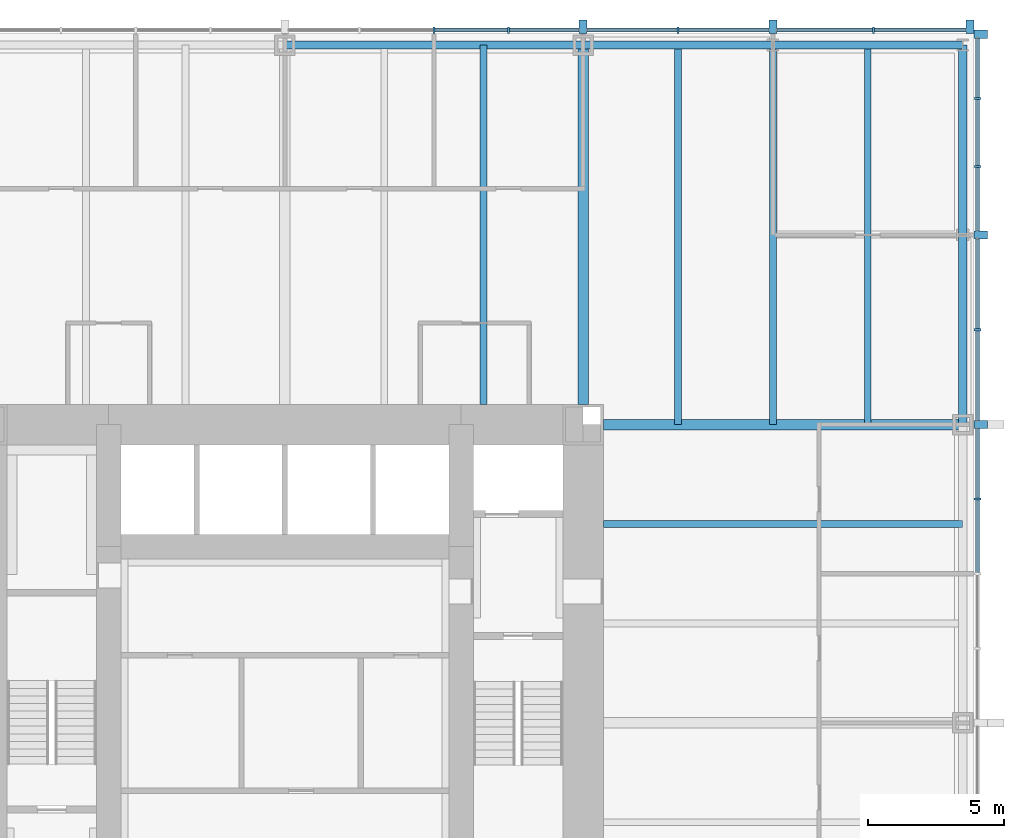
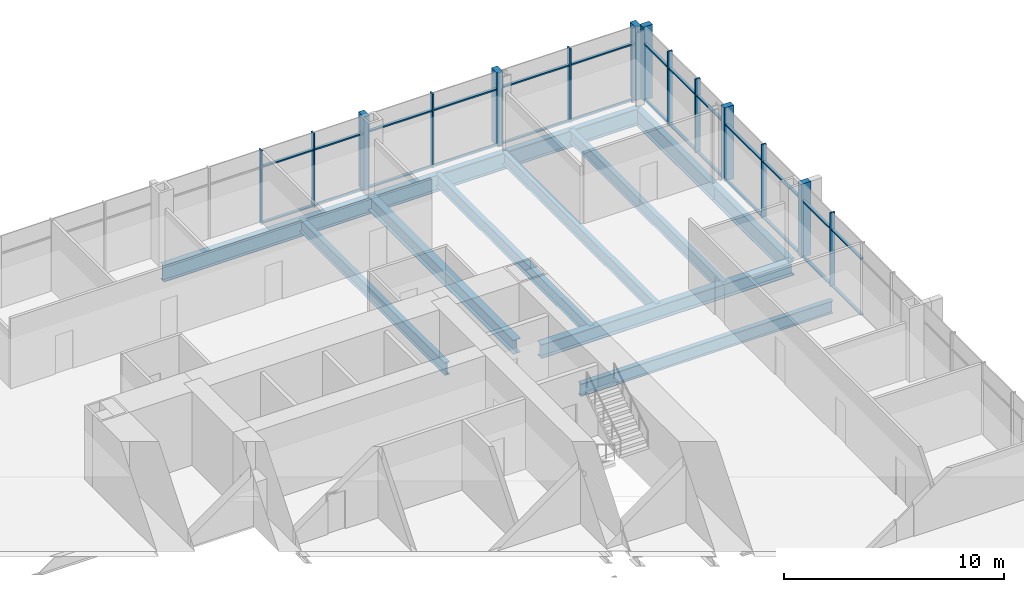
# One storey, part 6 of 12: 40 members, 12 beams, 2 elements without a shape of their own.
"""IFC4 building model written with IfcOpenShell, lengths in metres."""

from ifc_helpers import new_model, si_unit, direction, frame, origin, origin_2d, place, context, subcontext, project, spatial, rectangle, i_section, extrude, material, material_profile, profile_set, type_object, element, aggregate, save


model = new_model("IFC4")

# Units and contexts
model_context = context("Model", 3, precision=1e-05, world=origin(), true_north=direction((0.0, 1.0)))
body_context = subcontext(model_context, "Body", "Model", "MODEL_VIEW")
ifc_project = project(units=[si_unit("LENGTHUNIT", "METRE"), si_unit("AREAUNIT", "SQUARE_METRE"), si_unit("VOLUMEUNIT", "CUBIC_METRE"), si_unit("PLANEANGLEUNIT", "RADIAN"), si_unit("MASSUNIT", "GRAM", prefix="KILO")], contexts=[model_context])

# Site, building, storey
site_placement = place(None, origin())
site = spatial("IfcSite", under=ifc_project, at=site_placement, CompositionType="ELEMENT")
building_placement = place(site_placement, origin())
building = spatial("IfcBuilding", under=site, at=building_placement, Name="Trevanion Tower", CompositionType="ELEMENT")
storey_placement = place(building_placement, frame((0.0, 0.0, 77.5)))
storey = spatial("IfcBuildingStorey", under=building, at=storey_placement, Name="L18", CompositionType="ELEMENT", Elevation=77.5)

# Beams
ifc_material_1 = material(Name="Steel ASTM A992 Grade 50", Category="steel")
ifc_material_profile_1 = material_profile(ifc_material_1, i_section(OverallWidth=0.25390625, OverallDepth=0.700927734375, WebThickness=0.015380859375, FlangeThickness=0.02783203125, at=origin_2d()), Name="W27X129")
ifc_profile_set_1 = profile_set([ifc_material_profile_1], Name="Steel ASTM A992 Grade 50")
beam_type_1 = type_object("IfcBeamType", Name="B3 W27X129", PredefinedType="BEAM", material=ifc_profile_set_1)
for number, where, z_axis, x_axis, name in (
    (1, (11.75, 7.333251953125, -0.54052734375), (1.0, 0.0, 0.0), (0.0, 1.0, 0.0), "B3 L18"),
    (2, (7.333251953125, 11.75, -0.54052734375), (0.0, 1.0, 0.0), (-1.0, 0.0, 0.0), "B3 L18"),
):
    element("IfcBeam", number, at=place(storey_placement, frame(where, z_axis=z_axis, x_axis=x_axis)), inside=storey, type_object=beam_type_1, Name=name, PredefinedType="BEAM", context=body_context, shape_type="SweptSolid", body=[
        extrude(i_section(OverallWidth=0.25390625, OverallDepth=0.700927734375, WebThickness=0.015380859375, FlangeThickness=0.02783203125, at=origin_2d()), origin(), (0.0, 0.0, 1.0), 13.25),
    ])
ifc_material_2 = material(Name="Steel ASTM A992 Grade 50", Category="steel")
ifc_material_profile_2 = material_profile(ifc_material_2, i_section(OverallWidth=0.256591796875, OverallDepth=0.693359375, WebThickness=0.014404296875, FlangeThickness=0.023681640625, at=origin_2d()), Name="W27X114")
ifc_profile_set_2 = profile_set([ifc_material_profile_2], Name="Steel ASTM A992 Grade 50")
beam_type_2 = type_object("IfcBeamType", Name="B4 W27X114", PredefinedType="BEAM", material=ifc_profile_set_2)
for number, where, z_axis, x_axis, name in (
    (3, (14.5, 11.0, -0.53662109375), (0.0, 1.0, 0.0), (-1.0, 0.0, 0.0), "B4 L18"),
    (4, (18.0, 11.0, -0.53662109375), (0.0, 1.0, 0.0), (-1.0, 0.0, 0.0), "B4 L18"),
    (5, (21.5, 11.0, -0.53662109375), (0.0, 1.0, 0.0), (-1.0, 0.0, 0.0), "B4 L18"),
):
    element("IfcBeam", number, at=place(storey_placement, frame(where, z_axis=z_axis, x_axis=x_axis)), inside=storey, type_object=beam_type_2, Name=name, PredefinedType="BEAM", context=body_context, shape_type="SweptSolid", body=[
        extrude(i_section(OverallWidth=0.256591796875, OverallDepth=0.693359375, WebThickness=0.014404296875, FlangeThickness=0.023681640625, at=origin_2d()), origin(), (0.0, 0.0, 1.0), 14.0),
    ])

# Curtain wall, members
ifc_material_3 = material(Name="Aluminium and glass", Category="aluminium")
curtain_wall_type = type_object("IfcCurtainWallType", Name="CW1 curtain wall", PredefinedType="USERDEFINED", material=ifc_material_3)
curtain_wall_1_placement = place(storey_placement, origin())
curtain_wall_1 = element("IfcCurtainWall", 6, at=curtain_wall_1_placement, inside=storey, type_object=curtain_wall_type, Name="CW1 L18 0", ObjectType="UNITISED CURTAIN WALL", PredefinedType="USERDEFINED")
ifc_material_4 = material(Name="Aluminium extrusion, anodised bronze", Category="aluminium")
ifc_material_profile_3 = material_profile(ifc_material_4, rectangle(XDim=0.074951171875, YDim=0.25, at=origin_2d()), Name="CW1 mullion")
ifc_profile_set_3 = profile_set([ifc_material_profile_3], Name="Aluminium extrusion, anodised bronze")
member_type_1 = type_object("IfcMemberType", Name="CW1 mullion", PredefinedType="MULLION", material=ifc_profile_set_3)
member_1_placement = place(storey_placement, frame((25.550048828125, 8.25, -0.18994140625), z_axis=(0.0, 0.0, 1.0), x_axis=(0.0, 1.0, 0.0)))
member_1 = element("IfcMember", 7, at=member_1_placement, type_object=member_type_1, Name="CW1 mullion 12", PredefinedType="MULLION", context=body_context, shape_type="SweptSolid", body=[
    extrude(rectangle(XDim=0.074951171875, YDim=0.25, at=origin_2d()), origin(), (0.0, 0.0, 1.0), 4.099853515625),
])
member_2_placement = place(storey_placement, frame((25.550048828125, 14.5, -0.18994140625), z_axis=(0.0, 0.0, 1.0), x_axis=(0.0, 1.0, 0.0)))
member_2 = element("IfcMember", 8, at=member_2_placement, type_object=member_type_1, Name="CW1 mullion 14", PredefinedType="MULLION", context=body_context, shape_type="SweptSolid", body=[
    extrude(rectangle(XDim=0.074951171875, YDim=0.25, at=origin_2d()), origin(), (0.0, 0.0, 1.0), 4.099853515625),
])
member_3_placement = place(storey_placement, frame((25.550048828125, 20.5166015625, -0.18994140625), z_axis=(0.0, 0.0, 1.0), x_axis=(0.0, 1.0, 0.0)))
member_3 = element("IfcMember", 9, at=member_3_placement, type_object=member_type_1, Name="CW1 mullion 16", PredefinedType="MULLION", context=body_context, shape_type="SweptSolid", body=[
    extrude(rectangle(XDim=0.074951171875, YDim=0.25, at=origin_2d()), origin(), (0.0, 0.0, 1.0), 4.099853515625),
])
member_4_placement = place(storey_placement, frame((25.550048828125, 23.033203125, -0.18994140625), z_axis=(0.0, 0.0, 1.0), x_axis=(0.0, 1.0, 0.0)))
member_4 = element("IfcMember", 10, at=member_4_placement, type_object=member_type_1, Name="CW1 mullion 17", PredefinedType="MULLION", context=body_context, shape_type="SweptSolid", body=[
    extrude(rectangle(XDim=0.074951171875, YDim=0.25, at=origin_2d()), origin(), (0.0, 0.0, 1.0), 4.099853515625),
])

curtain_wall_2_placement = place(storey_placement, origin())
curtain_wall_2 = element("IfcCurtainWall", 11, at=curtain_wall_2_placement, inside=storey, type_object=curtain_wall_type, Name="CW1 L18 1", ObjectType="UNITISED CURTAIN WALL", PredefinedType="USERDEFINED")
member_5_placement = place(storey_placement, frame((21.7099609375, 25.550048828125, -0.18994140625), z_axis=(0.0, 0.0, 1.0), x_axis=(-1.0, 0.0, 0.0)))
member_5 = element("IfcMember", 12, at=member_5_placement, type_object=member_type_1, Name="CW1 mullion 2", PredefinedType="MULLION", context=body_context, shape_type="SweptSolid", body=[
    extrude(rectangle(XDim=0.074951171875, YDim=0.25, at=origin_2d()), origin(), (0.0, 0.0, 1.0), 4.099853515625),
])
member_6_placement = place(storey_placement, frame((14.5, 25.550048828125, -0.18994140625), z_axis=(0.0, 0.0, 1.0), x_axis=(-1.0, 0.0, 0.0)))
member_6 = element("IfcMember", 13, at=member_6_placement, type_object=member_type_1, Name="CW1 mullion 4", PredefinedType="MULLION", context=body_context, shape_type="SweptSolid", body=[
    extrude(rectangle(XDim=0.074951171875, YDim=0.25, at=origin_2d()), origin(), (0.0, 0.0, 1.0), 4.099853515625),
])
member_7_placement = place(storey_placement, frame((8.25, 25.550048828125, -0.18994140625), z_axis=(0.0, 0.0, 1.0), x_axis=(-1.0, 0.0, 0.0)))
member_7 = element("IfcMember", 14, at=member_7_placement, type_object=member_type_1, Name="CW1 mullion 6", PredefinedType="MULLION", context=body_context, shape_type="SweptSolid", body=[
    extrude(rectangle(XDim=0.074951171875, YDim=0.25, at=origin_2d()), origin(), (0.0, 0.0, 1.0), 4.099853515625),
])
member_8_placement = place(storey_placement, frame((5.5, 25.550048828125, -0.18994140625), z_axis=(0.0, 0.0, 1.0), x_axis=(-1.0, 0.0, 0.0)))
member_8 = element("IfcMember", 15, at=member_8_placement, type_object=member_type_1, Name="CW1 mullion 7", PredefinedType="MULLION", context=body_context, shape_type="SweptSolid", body=[
    extrude(rectangle(XDim=0.074951171875, YDim=0.25, at=origin_2d()), origin(), (0.0, 0.0, 1.0), 4.099853515625),
])

# Member
ifc_material_5 = material(Name="Aluminium extrusion, anodised bronze", Category="aluminium")
ifc_material_profile_4 = material_profile(ifc_material_5, rectangle(XDim=0.300048828125, YDim=0.5, at=origin_2d()), Name="CW1 pier mullion")
ifc_profile_set_4 = profile_set([ifc_material_profile_4], Name="Aluminium extrusion, anodised bronze")
member_type_2 = type_object("IfcMemberType", Name="CW1 pier mullion", PredefinedType="MULLION", material=ifc_profile_set_4)
member_9_placement = place(storey_placement, frame((25.675048828125, 11.0, -0.18994140625), z_axis=(0.0, 0.0, 1.0), x_axis=(0.0, 1.0, 0.0)))
member_9 = element("IfcMember", 16, at=member_9_placement, type_object=member_type_2, Name="CW1 pier mullion 13", PredefinedType="MULLION", context=body_context, shape_type="SweptSolid", body=[
    extrude(rectangle(XDim=0.300048828125, YDim=0.5, at=origin_2d()), origin(), (0.0, 0.0, 1.0), 4.099853515625),
])

member_10_placement = place(storey_placement, frame((25.675048828125, 18.0, -0.18994140625), z_axis=(0.0, 0.0, 1.0), x_axis=(0.0, 1.0, 0.0)))
member_10 = element("IfcMember", 17, at=member_10_placement, type_object=member_type_2, Name="CW1 pier mullion 15", PredefinedType="MULLION", context=body_context, shape_type="SweptSolid", body=[
    extrude(rectangle(XDim=0.300048828125, YDim=0.5, at=origin_2d()), origin(), (0.0, 0.0, 1.0), 4.099853515625),
])

member_11_placement = place(storey_placement, frame((25.675048828125, 25.39990234375, -0.18994140625), z_axis=(0.0, 0.0, 1.0), x_axis=(0.0, 1.0, 0.0)))
member_11 = element("IfcMember", 18, at=member_11_placement, type_object=member_type_2, Name="CW1 pier mullion 18", PredefinedType="MULLION", context=body_context, shape_type="SweptSolid", body=[
    extrude(rectangle(XDim=0.300048828125, YDim=0.5, at=origin_2d()), origin(), (0.0, 0.0, 1.0), 4.099853515625),
])

member_12_placement = place(storey_placement, frame((25.27001953125, 25.675048828125, -0.18994140625), z_axis=(0.0, 0.0, 1.0), x_axis=(-1.0, 0.0, 0.0)))
member_12 = element("IfcMember", 19, at=member_12_placement, type_object=member_type_2, Name="CW1 pier mullion 1", PredefinedType="MULLION", context=body_context, shape_type="SweptSolid", body=[
    extrude(rectangle(XDim=0.300048828125, YDim=0.5, at=origin_2d()), origin(), (0.0, 0.0, 1.0), 4.099853515625),
])

member_13_placement = place(storey_placement, frame((18.0, 25.675048828125, -0.18994140625), z_axis=(0.0, 0.0, 1.0), x_axis=(-1.0, 0.0, 0.0)))
member_13 = element("IfcMember", 20, at=member_13_placement, type_object=member_type_2, Name="CW1 pier mullion 3", PredefinedType="MULLION", context=body_context, shape_type="SweptSolid", body=[
    extrude(rectangle(XDim=0.300048828125, YDim=0.5, at=origin_2d()), origin(), (0.0, 0.0, 1.0), 4.099853515625),
])

member_14_placement = place(storey_placement, frame((11.0, 25.675048828125, -0.18994140625), z_axis=(0.0, 0.0, 1.0), x_axis=(-1.0, 0.0, 0.0)))
member_14 = element("IfcMember", 21, at=member_14_placement, type_object=member_type_2, Name="CW1 pier mullion 5", PredefinedType="MULLION", context=body_context, shape_type="SweptSolid", body=[
    extrude(rectangle(XDim=0.300048828125, YDim=0.5, at=origin_2d()), origin(), (0.0, 0.0, 1.0), 4.099853515625),
])

ifc_material_6 = material(Name="Aluminium extrusion, anodised bronze", Category="aluminium")
ifc_material_profile_5 = material_profile(ifc_material_6, rectangle(XDim=0.14990234375, YDim=0.074951171875, at=origin_2d()), Name="CW1 transom")
ifc_profile_set_5 = profile_set([ifc_material_profile_5], Name="Aluminium extrusion, anodised bronze")
member_type_3 = type_object("IfcMemberType", Name="CW1 transom", PredefinedType="USERDEFINED", material=ifc_profile_set_5)
member_15_placement = place(storey_placement, frame((25.550048828125, 5.53759765625, -0.152587890625), z_axis=(0.0, 1.0, 0.0), x_axis=(-1.0, 0.0, 0.0)))
member_15 = element("IfcMember", 22, at=member_15_placement, type_object=member_type_3, Name="CW1 transom 11.1", ObjectType="TRANSOM", PredefinedType="USERDEFINED", context=body_context, shape_type="SweptSolid", body=[
    extrude(rectangle(XDim=0.14990234375, YDim=0.074951171875, at=origin_2d()), origin(), (0.0, 0.0, 1.0), 2.6748046875),
])

member_16_placement = place(storey_placement, frame((25.550048828125, 5.53759765625, 2.9599609375), z_axis=(0.0, 1.0, 0.0), x_axis=(-1.0, 0.0, 0.0)))
member_16 = element("IfcMember", 23, at=member_16_placement, type_object=member_type_3, Name="CW1 transom 11.2", ObjectType="TRANSOM", PredefinedType="USERDEFINED", context=body_context, shape_type="SweptSolid", body=[
    extrude(rectangle(XDim=0.14990234375, YDim=0.074951171875, at=origin_2d()), origin(), (0.0, 0.0, 1.0), 2.6748046875),
])

member_17_placement = place(storey_placement, frame((25.550048828125, 8.28759765625, -0.152587890625), z_axis=(0.0, 1.0, 0.0), x_axis=(-1.0, 0.0, 0.0)))
member_17 = element("IfcMember", 24, at=member_17_placement, type_object=member_type_3, Name="CW1 transom 12.1", ObjectType="TRANSOM", PredefinedType="USERDEFINED", context=body_context, shape_type="SweptSolid", body=[
    extrude(rectangle(XDim=0.14990234375, YDim=0.074951171875, at=origin_2d()), origin(), (0.0, 0.0, 1.0), 2.5625),
])

member_18_placement = place(storey_placement, frame((25.550048828125, 8.28759765625, 2.9599609375), z_axis=(0.0, 1.0, 0.0), x_axis=(-1.0, 0.0, 0.0)))
member_18 = element("IfcMember", 25, at=member_18_placement, type_object=member_type_3, Name="CW1 transom 12.2", ObjectType="TRANSOM", PredefinedType="USERDEFINED", context=body_context, shape_type="SweptSolid", body=[
    extrude(rectangle(XDim=0.14990234375, YDim=0.074951171875, at=origin_2d()), origin(), (0.0, 0.0, 1.0), 2.5625),
])

member_19_placement = place(storey_placement, frame((25.550048828125, 11.14990234375, -0.152587890625), z_axis=(0.0, 1.0, 0.0), x_axis=(-1.0, 0.0, 0.0)))
member_19 = element("IfcMember", 26, at=member_19_placement, type_object=member_type_3, Name="CW1 transom 13.1", ObjectType="TRANSOM", PredefinedType="USERDEFINED", context=body_context, shape_type="SweptSolid", body=[
    extrude(rectangle(XDim=0.14990234375, YDim=0.074951171875, at=origin_2d()), origin(), (0.0, 0.0, 1.0), 3.3125),
])

member_20_placement = place(storey_placement, frame((25.550048828125, 11.14990234375, 2.9599609375), z_axis=(0.0, 1.0, 0.0), x_axis=(-1.0, 0.0, 0.0)))
member_20 = element("IfcMember", 27, at=member_20_placement, type_object=member_type_3, Name="CW1 transom 13.2", ObjectType="TRANSOM", PredefinedType="USERDEFINED", context=body_context, shape_type="SweptSolid", body=[
    extrude(rectangle(XDim=0.14990234375, YDim=0.074951171875, at=origin_2d()), origin(), (0.0, 0.0, 1.0), 3.3125),
])

member_21_placement = place(storey_placement, frame((25.550048828125, 14.53759765625, -0.152587890625), z_axis=(0.0, 1.0, 0.0), x_axis=(-1.0, 0.0, 0.0)))
member_21 = element("IfcMember", 28, at=member_21_placement, type_object=member_type_3, Name="CW1 transom 14.1", ObjectType="TRANSOM", PredefinedType="USERDEFINED", context=body_context, shape_type="SweptSolid", body=[
    extrude(rectangle(XDim=0.14990234375, YDim=0.074951171875, at=origin_2d()), origin(), (0.0, 0.0, 1.0), 3.3125),
])

member_22_placement = place(storey_placement, frame((25.550048828125, 14.53759765625, 2.9599609375), z_axis=(0.0, 1.0, 0.0), x_axis=(-1.0, 0.0, 0.0)))
member_22 = element("IfcMember", 29, at=member_22_placement, type_object=member_type_3, Name="CW1 transom 14.2", ObjectType="TRANSOM", PredefinedType="USERDEFINED", context=body_context, shape_type="SweptSolid", body=[
    extrude(rectangle(XDim=0.14990234375, YDim=0.074951171875, at=origin_2d()), origin(), (0.0, 0.0, 1.0), 3.3125),
])

member_23_placement = place(storey_placement, frame((25.550048828125, 18.14990234375, -0.152587890625), z_axis=(0.0, 1.0, 0.0), x_axis=(-1.0, 0.0, 0.0)))
member_23 = element("IfcMember", 30, at=member_23_placement, type_object=member_type_3, Name="CW1 transom 15.1", ObjectType="TRANSOM", PredefinedType="USERDEFINED", context=body_context, shape_type="SweptSolid", body=[
    extrude(rectangle(XDim=0.14990234375, YDim=0.074951171875, at=origin_2d()), origin(), (0.0, 0.0, 1.0), 2.329345703125),
])

member_24_placement = place(storey_placement, frame((25.550048828125, 18.14990234375, 2.9599609375), z_axis=(0.0, 1.0, 0.0), x_axis=(-1.0, 0.0, 0.0)))
member_24 = element("IfcMember", 31, at=member_24_placement, type_object=member_type_3, Name="CW1 transom 15.2", ObjectType="TRANSOM", PredefinedType="USERDEFINED", context=body_context, shape_type="SweptSolid", body=[
    extrude(rectangle(XDim=0.14990234375, YDim=0.074951171875, at=origin_2d()), origin(), (0.0, 0.0, 1.0), 2.329345703125),
])

member_25_placement = place(storey_placement, frame((25.550048828125, 20.55419921875, -0.152587890625), z_axis=(0.0, 1.0, 0.0), x_axis=(-1.0, 0.0, 0.0)))
member_25 = element("IfcMember", 32, at=member_25_placement, type_object=member_type_3, Name="CW1 transom 16.1", ObjectType="TRANSOM", PredefinedType="USERDEFINED", context=body_context, shape_type="SweptSolid", body=[
    extrude(rectangle(XDim=0.14990234375, YDim=0.074951171875, at=origin_2d()), origin(), (0.0, 0.0, 1.0), 2.441650390625),
])

member_26_placement = place(storey_placement, frame((25.550048828125, 20.55419921875, 2.9599609375), z_axis=(0.0, 1.0, 0.0), x_axis=(-1.0, 0.0, 0.0)))
member_26 = element("IfcMember", 33, at=member_26_placement, type_object=member_type_3, Name="CW1 transom 16.2", ObjectType="TRANSOM", PredefinedType="USERDEFINED", context=body_context, shape_type="SweptSolid", body=[
    extrude(rectangle(XDim=0.14990234375, YDim=0.074951171875, at=origin_2d()), origin(), (0.0, 0.0, 1.0), 2.441650390625),
])

member_27_placement = place(storey_placement, frame((25.550048828125, 23.07080078125, -0.152587890625), z_axis=(0.0, 1.0, 0.0), x_axis=(-1.0, 0.0, 0.0)))
member_27 = element("IfcMember", 34, at=member_27_placement, type_object=member_type_3, Name="CW1 transom 17.1", ObjectType="TRANSOM", PredefinedType="USERDEFINED", context=body_context, shape_type="SweptSolid", body=[
    extrude(rectangle(XDim=0.14990234375, YDim=0.074951171875, at=origin_2d()), origin(), (0.0, 0.0, 1.0), 2.17919921875),
])

member_28_placement = place(storey_placement, frame((25.550048828125, 23.07080078125, 2.9599609375), z_axis=(0.0, 1.0, 0.0), x_axis=(-1.0, 0.0, 0.0)))
member_28 = element("IfcMember", 35, at=member_28_placement, type_object=member_type_3, Name="CW1 transom 17.2", ObjectType="TRANSOM", PredefinedType="USERDEFINED", context=body_context, shape_type="SweptSolid", body=[
    extrude(rectangle(XDim=0.14990234375, YDim=0.074951171875, at=origin_2d()), origin(), (0.0, 0.0, 1.0), 2.17919921875),
])

aggregate(curtain_wall_1, [member_1, member_9, member_2, member_10, member_3, member_4, member_11, member_15, member_16, member_17, member_18, member_19, member_20, member_21, member_22, member_23, member_24, member_25, member_26, member_27, member_28])

member_29_placement = place(storey_placement, frame((25.1201171875, 25.550048828125, -0.152587890625), z_axis=(-1.0, 0.0, 0.0), x_axis=(0.0, -1.0, 0.0)))
member_29 = element("IfcMember", 36, at=member_29_placement, type_object=member_type_3, Name="CW1 transom 1.1", ObjectType="TRANSOM", PredefinedType="USERDEFINED", context=body_context, shape_type="SweptSolid", body=[
    extrude(rectangle(XDim=0.14990234375, YDim=0.074951171875, at=origin_2d()), origin(), (0.0, 0.0, 1.0), 3.37255859375),
])

member_30_placement = place(storey_placement, frame((25.1201171875, 25.550048828125, 2.9599609375), z_axis=(-1.0, 0.0, 0.0), x_axis=(0.0, -1.0, 0.0)))
member_30 = element("IfcMember", 37, at=member_30_placement, type_object=member_type_3, Name="CW1 transom 1.2", ObjectType="TRANSOM", PredefinedType="USERDEFINED", context=body_context, shape_type="SweptSolid", body=[
    extrude(rectangle(XDim=0.14990234375, YDim=0.074951171875, at=origin_2d()), origin(), (0.0, 0.0, 1.0), 3.37255859375),
])

member_31_placement = place(storey_placement, frame((21.672607421875, 25.550048828125, -0.152587890625), z_axis=(-1.0, 0.0, 0.0), x_axis=(0.0, -1.0, 0.0)))
member_31 = element("IfcMember", 38, at=member_31_placement, type_object=member_type_3, Name="CW1 transom 2.1", ObjectType="TRANSOM", PredefinedType="USERDEFINED", context=body_context, shape_type="SweptSolid", body=[
    extrude(rectangle(XDim=0.14990234375, YDim=0.074951171875, at=origin_2d()), origin(), (0.0, 0.0, 1.0), 3.522705078125),
])

member_32_placement = place(storey_placement, frame((21.672607421875, 25.550048828125, 2.9599609375), z_axis=(-1.0, 0.0, 0.0), x_axis=(0.0, -1.0, 0.0)))
member_32 = element("IfcMember", 39, at=member_32_placement, type_object=member_type_3, Name="CW1 transom 2.2", ObjectType="TRANSOM", PredefinedType="USERDEFINED", context=body_context, shape_type="SweptSolid", body=[
    extrude(rectangle(XDim=0.14990234375, YDim=0.074951171875, at=origin_2d()), origin(), (0.0, 0.0, 1.0), 3.522705078125),
])

member_33_placement = place(storey_placement, frame((17.85009765625, 25.550048828125, -0.152587890625), z_axis=(-1.0, 0.0, 0.0), x_axis=(0.0, -1.0, 0.0)))
member_33 = element("IfcMember", 40, at=member_33_placement, type_object=member_type_3, Name="CW1 transom 3.1", ObjectType="TRANSOM", PredefinedType="USERDEFINED", context=body_context, shape_type="SweptSolid", body=[
    extrude(rectangle(XDim=0.14990234375, YDim=0.074951171875, at=origin_2d()), origin(), (0.0, 0.0, 1.0), 3.3125),
])

member_34_placement = place(storey_placement, frame((17.85009765625, 25.550048828125, 2.9599609375), z_axis=(-1.0, 0.0, 0.0), x_axis=(0.0, -1.0, 0.0)))
member_34 = element("IfcMember", 41, at=member_34_placement, type_object=member_type_3, Name="CW1 transom 3.2", ObjectType="TRANSOM", PredefinedType="USERDEFINED", context=body_context, shape_type="SweptSolid", body=[
    extrude(rectangle(XDim=0.14990234375, YDim=0.074951171875, at=origin_2d()), origin(), (0.0, 0.0, 1.0), 3.3125),
])

member_35_placement = place(storey_placement, frame((14.46240234375, 25.550048828125, -0.152587890625), z_axis=(-1.0, 0.0, 0.0), x_axis=(0.0, -1.0, 0.0)))
member_35 = element("IfcMember", 42, at=member_35_placement, type_object=member_type_3, Name="CW1 transom 4.1", ObjectType="TRANSOM", PredefinedType="USERDEFINED", context=body_context, shape_type="SweptSolid", body=[
    extrude(rectangle(XDim=0.14990234375, YDim=0.074951171875, at=origin_2d()), origin(), (0.0, 0.0, 1.0), 3.3125),
])

member_36_placement = place(storey_placement, frame((14.46240234375, 25.550048828125, 2.9599609375), z_axis=(-1.0, 0.0, 0.0), x_axis=(0.0, -1.0, 0.0)))
member_36 = element("IfcMember", 43, at=member_36_placement, type_object=member_type_3, Name="CW1 transom 4.2", ObjectType="TRANSOM", PredefinedType="USERDEFINED", context=body_context, shape_type="SweptSolid", body=[
    extrude(rectangle(XDim=0.14990234375, YDim=0.074951171875, at=origin_2d()), origin(), (0.0, 0.0, 1.0), 3.3125),
])

member_37_placement = place(storey_placement, frame((10.85009765625, 25.550048828125, -0.152587890625), z_axis=(-1.0, 0.0, 0.0), x_axis=(0.0, -1.0, 0.0)))
member_37 = element("IfcMember", 44, at=member_37_placement, type_object=member_type_3, Name="CW1 transom 5.1", ObjectType="TRANSOM", PredefinedType="USERDEFINED", context=body_context, shape_type="SweptSolid", body=[
    extrude(rectangle(XDim=0.14990234375, YDim=0.074951171875, at=origin_2d()), origin(), (0.0, 0.0, 1.0), 2.5625),
])

member_38_placement = place(storey_placement, frame((10.85009765625, 25.550048828125, 2.9599609375), z_axis=(-1.0, 0.0, 0.0), x_axis=(0.0, -1.0, 0.0)))
member_38 = element("IfcMember", 45, at=member_38_placement, type_object=member_type_3, Name="CW1 transom 5.2", ObjectType="TRANSOM", PredefinedType="USERDEFINED", context=body_context, shape_type="SweptSolid", body=[
    extrude(rectangle(XDim=0.14990234375, YDim=0.074951171875, at=origin_2d()), origin(), (0.0, 0.0, 1.0), 2.5625),
])

member_39_placement = place(storey_placement, frame((8.21240234375, 25.550048828125, -0.152587890625), z_axis=(-1.0, 0.0, 0.0), x_axis=(0.0, -1.0, 0.0)))
member_39 = element("IfcMember", 46, at=member_39_placement, type_object=member_type_3, Name="CW1 transom 6.1", ObjectType="TRANSOM", PredefinedType="USERDEFINED", context=body_context, shape_type="SweptSolid", body=[
    extrude(rectangle(XDim=0.14990234375, YDim=0.074951171875, at=origin_2d()), origin(), (0.0, 0.0, 1.0), 2.6748046875),
])

member_40_placement = place(storey_placement, frame((8.21240234375, 25.550048828125, 2.9599609375), z_axis=(-1.0, 0.0, 0.0), x_axis=(0.0, -1.0, 0.0)))
member_40 = element("IfcMember", 47, at=member_40_placement, type_object=member_type_3, Name="CW1 transom 6.2", ObjectType="TRANSOM", PredefinedType="USERDEFINED", context=body_context, shape_type="SweptSolid", body=[
    extrude(rectangle(XDim=0.14990234375, YDim=0.074951171875, at=origin_2d()), origin(), (0.0, 0.0, 1.0), 2.6748046875),
])

aggregate(curtain_wall_2, [member_12, member_5, member_13, member_6, member_14, member_7, member_8, member_29, member_30, member_31, member_32, member_33, member_34, member_35, member_36, member_37, member_38, member_39, member_40])

# Beams
ifc_material_7 = material(Name="Steel ASTM A992 Grade 50", Category="steel")
ifc_material_profile_6 = material_profile(ifc_material_7, i_section(OverallWidth=0.381103515625, OverallDepth=0.77978515625, WebThickness=0.01806640625, FlangeThickness=0.0302734375, at=origin_2d()), Name="W30X191")
ifc_profile_set_6 = profile_set([ifc_material_profile_6], Name="Steel ASTM A992 Grade 50")
beam_type_3 = type_object("IfcBeamType", Name="G2 W30X191", PredefinedType="BEAM", material=ifc_profile_set_6)
for number, where, z_axis, x_axis, name in (
    (48, (11.75, 11.0, -0.579833984375), (1.0, 0.0, 0.0), (0.0, 1.0, 0.0), "G2 L18"),
    (49, (11.0, 11.75, -0.579833984375), (0.0, 1.0, 0.0), (-1.0, 0.0, 0.0), "G2 L18"),
):
    element("IfcBeam", number, at=place(storey_placement, frame(where, z_axis=z_axis, x_axis=x_axis)), inside=storey, type_object=beam_type_3, Name=name, PredefinedType="BEAM", context=body_context, shape_type="SweptSolid", body=[
        extrude(i_section(OverallWidth=0.381103515625, OverallDepth=0.77978515625, WebThickness=0.01806640625, FlangeThickness=0.0302734375, at=origin_2d()), origin(), (0.0, 0.0, 1.0), 13.25),
    ])
ifc_material_8 = material(Name="Steel ASTM A992 Grade 50", Category="steel")
ifc_material_profile_7 = material_profile(ifc_material_8, i_section(OverallWidth=0.307373046875, OverallDepth=0.927001953125, WebThickness=0.01953125, FlangeThickness=0.031982421875, at=origin_2d()), Name="W36X194")
ifc_profile_set_7 = profile_set([ifc_material_profile_7], Name="Steel ASTM A992 Grade 50")
beam_type_4 = type_object("IfcBeamType", Name="SB2 W36X194", PredefinedType="SPANDREL", material=ifc_profile_set_7)
for number, where, z_axis, x_axis, name in (
    (50, (25.0, 11.0, -0.653564453125), (0.0, 1.0, 0.0), (-1.0, 0.0, 0.0), "SB2 L18"),
    (51, (25.0, 18.0, -0.653564453125), (0.0, 1.0, 0.0), (-1.0, 0.0, 0.0), "SB2 L18"),
    (52, (25.0, 25.0, -0.653564453125), (-1.0, 0.0, 0.0), (0.0, -1.0, 0.0), "SB2 L18"),
    (53, (18.0, 25.0, -0.653564453125), (-1.0, 0.0, 0.0), (0.0, -1.0, 0.0), "SB2 L18"),
):
    element("IfcBeam", number, at=place(storey_placement, frame(where, z_axis=z_axis, x_axis=x_axis)), inside=storey, type_object=beam_type_4, Name=name, PredefinedType="SPANDREL", context=body_context, shape_type="SweptSolid", body=[
        extrude(i_section(OverallWidth=0.307373046875, OverallDepth=0.927001953125, WebThickness=0.01953125, FlangeThickness=0.031982421875, at=origin_2d()), origin(), (0.0, 0.0, 1.0), 7.0),
    ])
beam_placement = place(storey_placement, frame((11.0, 25.0, -0.653564453125), z_axis=(-1.0, 0.0, 0.0), x_axis=(0.0, -1.0, 0.0)))
element("IfcBeam", 54, at=beam_placement, inside=storey, type_object=beam_type_4, Name="SB2 L18", PredefinedType="SPANDREL", context=body_context, shape_type="SweptSolid", body=[
    extrude(i_section(OverallWidth=0.307373046875, OverallDepth=0.927001953125, WebThickness=0.01953125, FlangeThickness=0.031982421875, at=origin_2d()), origin(), (0.0, 0.0, 1.0), 11.0),
])

save(model, "model.ifc")
